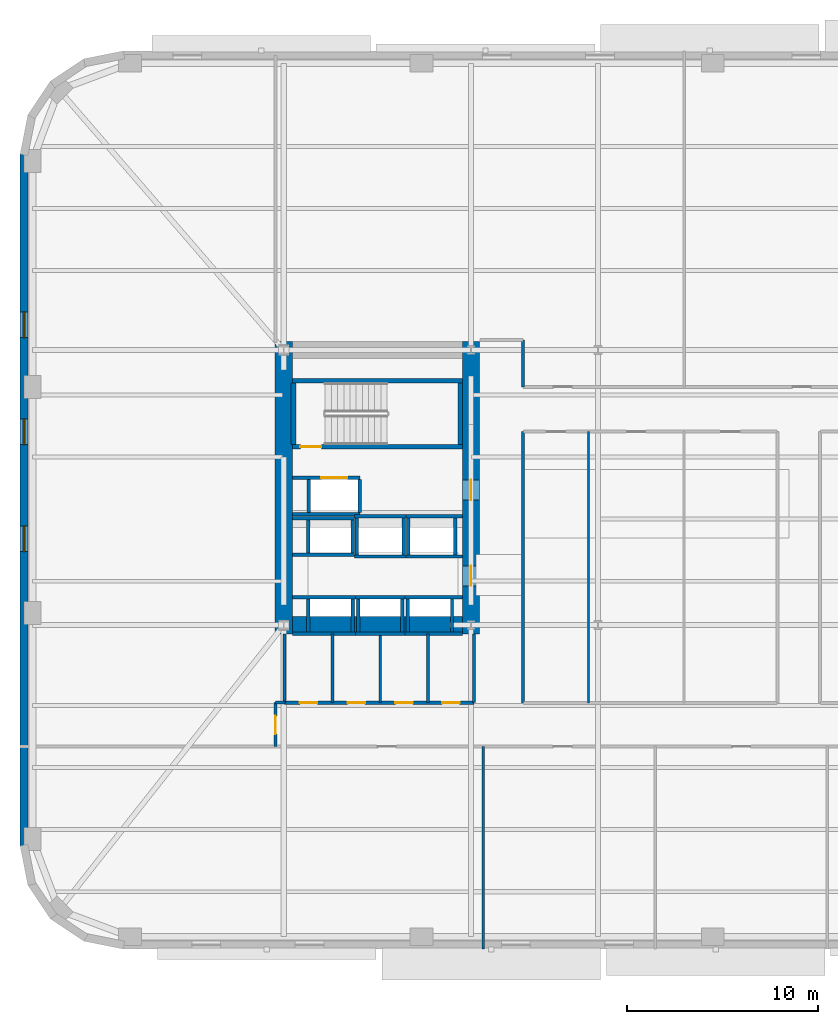
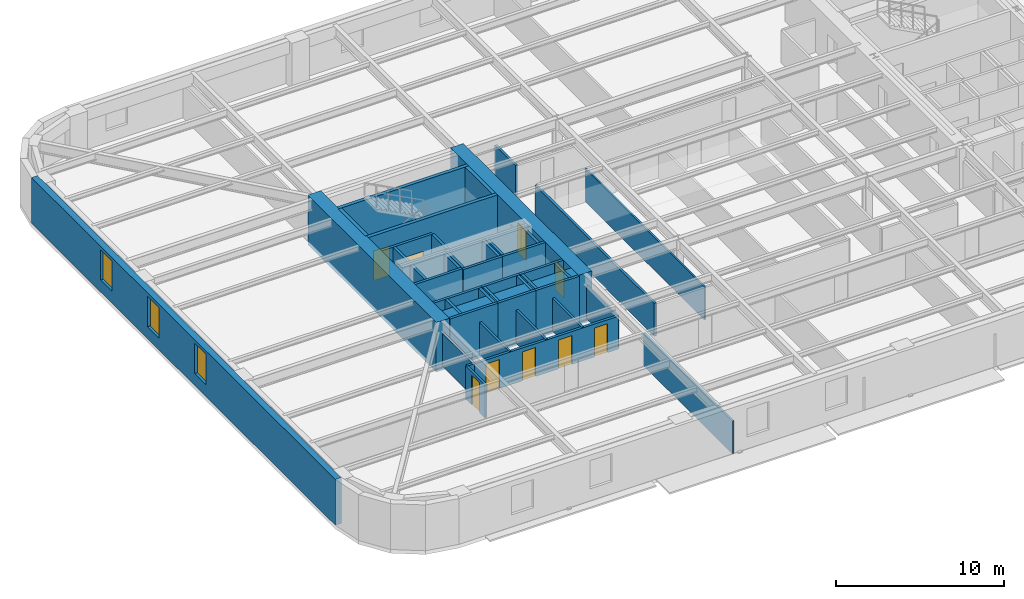
# One storey, part 4 of 14: 48 walls, 9 doors, 3 windows, 12 openings.
"""IFC4 building model written with IfcOpenShell, lengths in metres."""

import ifcopenshell
import ifcopenshell.guid

model = None  # the IFC model being written
_history = None  # IfcOwnerHistory: only IFC2X3 demands one
_inside = {}  # id of a spatial element -> (the spatial element, [elements in it])
_under = {}  # id of a project, library or spatial element -> (it, [spatial elements below it])
_declared = {}  # id of a project -> (the project, [libraries it declares])
_typed = {}  # id of a type object -> (the type object, [elements of that type])
_made_of = {}  # id of a material, layer set ... -> (it, [elements and type objects made of it])


def new_model(schema):
    """Start an empty IFC model of exactly this schema.

    Asked for "IFC4X3", IfcOpenShell would pick the latest addendum, in which some entities
    have other attributes; the version numbers below select the first issue.
    IFC2X3 requires an IfcOwnerHistory on every rooted entity: one is made here for all.
    """
    global model, _history
    if schema == "IFC4X3":
        model = ifcopenshell.file(schema_version=(4, 3, 0, 0))
    else:
        model = ifcopenshell.file(schema=schema)
    _inside.clear()
    _under.clear()
    _declared.clear()
    _typed.clear()
    _made_of.clear()
    _history = None
    if model.schema == "IFC2X3":
        org = make("IfcOrganization", Name="unknown")
        user = make(
            "IfcPersonAndOrganization",
            ThePerson=make("IfcPerson", FamilyName="unknown"),
            TheOrganization=org,
        )
        app = make(
            "IfcApplication",
            ApplicationDeveloper=org,
            Version="unknown",
            ApplicationFullName="unknown",
            ApplicationIdentifier="unknown",
        )
        _history = make(
            "IfcOwnerHistory",
            OwningUser=user,
            OwningApplication=app,
            ChangeAction="ADDED",
            CreationDate=0,
        )
    return model


def make(cls, **values):
    """One entity of the class cls with the attributes given. An attribute that is None is left unset."""
    return model.create_entity(
        cls, **{name: value for name, value in values.items() if value is not None}
    )


def rooted(cls, **values):
    """An entity with a GlobalId (a new one), such as an element, a storey or a relation."""
    return make(cls, GlobalId=ifcopenshell.guid.new(), OwnerHistory=_history, **values)


def si_unit(unit_type, name, prefix=None):
    """IfcSIUnit, for example si_unit("LENGTHUNIT", "METRE", prefix="MILLI")."""
    return make("IfcSIUnit", UnitType=unit_type, Prefix=prefix, Name=name)


def assignment(units):
    """IfcUnitAssignment: the units of a project."""
    return None if units is None else make("IfcUnitAssignment", Units=units)


def point(xyz):
    """IfcCartesianPoint."""
    return None if xyz is None else make("IfcCartesianPoint", Coordinates=xyz)


def direction(xyz):
    """IfcDirection."""
    return None if xyz is None else make("IfcDirection", DirectionRatios=xyz)


def frame(location, z_axis=None, x_axis=None):
    """IfcAxis2Placement3D, a coordinate frame: its origin and axes. An axis left out is left unset."""
    return make(
        "IfcAxis2Placement3D",
        Location=point(location),
        Axis=direction(z_axis),
        RefDirection=direction(x_axis),
    )


def frame_2d(location, x_axis=None):
    """IfcAxis2Placement2D, a coordinate frame in the plane: its origin and x axis."""
    return make(
        "IfcAxis2Placement2D", Location=point(location), RefDirection=direction(x_axis)
    )


def origin():
    """The frame at (0, 0, 0) with its axes left unset."""
    return frame((0.0, 0.0, 0.0))


def place(relative_to, where):
    """IfcLocalPlacement: puts the frame where relative to a parent placement (None: the world)."""
    return make(
        "IfcLocalPlacement", PlacementRelTo=relative_to, RelativePlacement=where
    )


def context(
    kind, dimensions, precision=None, world=None, true_north=None, identifier=None
):
    """IfcGeometricRepresentationContext, for example the 3D "Model" context."""
    return make(
        "IfcGeometricRepresentationContext",
        ContextIdentifier=identifier,
        ContextType=kind,
        CoordinateSpaceDimension=dimensions,
        Precision=precision,
        WorldCoordinateSystem=world,
        TrueNorth=true_north,
    )


def subcontext(parent, identifier, kind, view, scale=None):
    """IfcGeometricRepresentationSubContext, for example "Body" below "Model"."""
    return make(
        "IfcGeometricRepresentationSubContext",
        ContextIdentifier=identifier,
        ContextType=kind,
        ParentContext=parent,
        TargetScale=scale,
        TargetView=view,
    )


def project(units=None, contexts=None):
    """IfcProject with its units and contexts."""
    return rooted(
        "IfcProject",
        Name="project",
        RepresentationContexts=contexts,
        UnitsInContext=assignment(units),
    )


def spatial(cls, under=None, at=None, **own):
    """A site, building, storey or space (cls), placed at a placement, below another one or the project."""
    s = rooted(cls, ObjectPlacement=at, **own)
    if under is not None:
        _under.setdefault(under.id(), (under, []))[1].append(s)
    return s


def profile(cls, at=None, kind="AREA", **sizes):
    """A parametric profile (cls). Its sizes go by their IFC names, for example OverallWidth=200.0."""
    return make(cls, ProfileType=kind, Position=at, **sizes)


def rectangle(**sizes):
    """IfcRectangleProfileDef."""
    return profile("IfcRectangleProfileDef", **sizes)


def extrude(swept, where, along, depth):
    """IfcExtrudedAreaSolid: the profile swept, set in the frame where, extruded along a direction by depth."""
    return make(
        "IfcExtrudedAreaSolid",
        SweptArea=swept,
        Position=where,
        ExtrudedDirection=direction(along),
        Depth=depth,
    )


def shape(context_of_items, identifier, shape_type, items):
    """IfcShapeRepresentation: the items that make up one representation, for example the "Body"."""
    return make(
        "IfcShapeRepresentation",
        ContextOfItems=context_of_items,
        RepresentationIdentifier=identifier,
        RepresentationType=shape_type,
        Items=items,
    )


def material(Name=None, Category=None):
    """IfcMaterial."""
    return make("IfcMaterial", Name=Name, Category=Category)


def layer(
    of_material, thickness, ventilated=None, Name=None, Category=None, Priority=None
):
    """IfcMaterialLayer: one layer of a wall or slab, of a material (None: an air gap)."""
    return make(
        "IfcMaterialLayer",
        Material=of_material,
        LayerThickness=thickness,
        IsVentilated=ventilated,
        Name=Name,
        Category=Category,
        Priority=Priority,
    )


def layer_set(layers, Name=None):
    """IfcMaterialLayerSet."""
    return make("IfcMaterialLayerSet", MaterialLayers=layers, LayerSetName=Name)


def made_of(thing, what):
    """Note that an element or type object is made of a material, layer set ...; save() writes the relation."""
    if what is not None:
        _made_of.setdefault(what.id(), (what, []))[1].append(thing)
    return thing


def type_object(cls, material=None, **own):
    """A type object (cls), such as IfcWallType, which elements share."""
    return made_of(rooted(cls, **own), material)


def element(
    cls,
    number,
    at=None,
    inside=None,
    cuts=None,
    type_object=None,
    material=None,
    context=None,
    identifier="Body",
    shape_type=None,
    held_by="IfcProductDefinitionShape",
    body=None,
    shapes=None,
    **own,
):
    """One element of the class cls, such as IfcWall. Its Tag is "e" and its number.

    at: its placement. inside: the storey or other place that contains it. cuts: it is an
    opening in that element (IfcRelVoidsElement). A single representation is given by context,
    identifier, shape_type and body (its items); several are given by shapes. held_by: the class
    of the entity that holds the representations. save() writes the other relations.
    """
    e = rooted(cls, Tag="e%d" % number, ObjectPlacement=at, **own)
    if body is not None:
        shapes = [shape(context, identifier, shape_type, body)]
    if shapes is not None:
        e.Representation = make(held_by, Representations=shapes)
    if inside is not None:
        _inside.setdefault(inside.id(), (inside, []))[1].append(e)
    if cuts is not None:
        rooted(
            "IfcRelVoidsElement", RelatingBuildingElement=cuts, RelatedOpeningElement=e
        )
    if type_object is not None:
        _typed.setdefault(type_object.id(), (type_object, []))[1].append(e)
    return made_of(e, material)


def fill(opening, filler):
    """IfcRelFillsElement: the door or window that sits in an opening."""
    return rooted(
        "IfcRelFillsElement",
        RelatingOpeningElement=opening,
        RelatedBuildingElement=filler,
    )


def aggregate(whole, parts):
    """IfcRelAggregates: a whole, such as a stair, and the parts it consists of."""
    return rooted("IfcRelAggregates", RelatingObject=whole, RelatedObjects=parts)


def save(model, path):
    """Write the relations noted so far, then the file.

    IfcRelAggregates (storeys below a building ...), IfcRelContainedInSpatialStructure (elements
    in a storey), IfcRelDefinesByType, IfcRelAssociatesMaterial and IfcRelDeclares: one each for
    every whole, place, type object, material and project.
    """
    for whole, parts in _under.values():
        aggregate(whole, parts)
    for where, things in _inside.values():
        rooted(
            "IfcRelContainedInSpatialStructure",
            RelatedElements=things,
            RelatingStructure=where,
        )
    for kind, things in _typed.values():
        rooted("IfcRelDefinesByType", RelatedObjects=things, RelatingType=kind)
    for what, things in _made_of.values():
        rooted("IfcRelAssociatesMaterial", RelatedObjects=things, RelatingMaterial=what)
    for by, libraries in _declared.values():
        rooted("IfcRelDeclares", RelatingContext=by, RelatedDefinitions=libraries)
    model.write(path)


model = new_model("IFC4")

# Units and contexts
model_context = context("Model", 3, precision=1e-05, world=origin(), true_north=direction((0.0, 1.0)))
body_context = subcontext(model_context, "Body", "Model", "MODEL_VIEW")
ifc_project = project(units=[si_unit("LENGTHUNIT", "METRE"), si_unit("AREAUNIT", "SQUARE_METRE"), si_unit("VOLUMEUNIT", "CUBIC_METRE"), si_unit("PLANEANGLEUNIT", "RADIAN"), si_unit("MASSUNIT", "GRAM", prefix="KILO")], contexts=[model_context])

# Site, building, storey
site_placement = place(None, origin())
site = spatial("IfcSite", under=ifc_project, at=site_placement, CompositionType="ELEMENT")
building_placement = place(site_placement, origin())
building = spatial("IfcBuilding", under=site, at=building_placement, Name="Kolvaren Arena Tower", CompositionType="ELEMENT")
storey_placement = place(building_placement, frame((0.0, 0.0, 90.75)))
storey = spatial("IfcBuildingStorey", under=building, at=storey_placement, Name="L20", CompositionType="ELEMENT", Elevation=90.75)

# Walls
ifc_material_1 = material(Name="Gypsum board acoustic assembly", Category="gypsum")
ifc_layer_1 = layer(ifc_material_1, 0.159912109375)
ifc_layer_set_1 = layer_set([ifc_layer_1], Name="Gypsum board acoustic assembly")
wall_type_1 = type_object("IfcWallType", Name="CORR-160", PredefinedType="PARTITIONING", material=ifc_layer_set_1)
wall_1_placement = place(storey_placement, frame((27.080078125, 31.919921875, 0.0), z_axis=(0.0, 0.0, 1.0), x_axis=(0.0, 1.0, 0.0)))
element("IfcWall", 1, at=wall_1_placement, inside=storey, type_object=wall_type_1, Name="Interior Partition Wall (L20)", PredefinedType="PARTITIONING", context=body_context, shape_type="SweptSolid", body=[
    extrude(rectangle(XDim=2.4599609375, YDim=0.159912109375, at=frame_2d((1.22998046875, 0.0))), origin(), (0.0, 0.0, 1.0), 2.389892578125),
])
wall_2_placement = place(storey_placement, frame((27.080078125, 15.3798828125, 0.0), z_axis=(0.0, 0.0, 1.0), x_axis=(0.0, 1.0, 0.0)))
element("IfcWall", 2, at=wall_2_placement, inside=storey, type_object=wall_type_1, Name="Interior Partition Wall (L20)", PredefinedType="PARTITIONING", context=body_context, shape_type="SweptSolid", body=[
    extrude(rectangle(XDim=14.2001953125, YDim=0.159912109375, at=frame_2d((7.10009765625, 0.0))), origin(), (0.0, 0.0, 1.0), 2.389892578125),
])

# Wall, opening, door
wall_3_placement = place(storey_placement, frame((14.1201171875, 13.10009765625, 0.0), z_axis=(0.0, 0.0, 1.0), x_axis=(0.0, 1.0, 0.0)))
wall_3 = element("IfcWall", 3, at=wall_3_placement, inside=storey, type_object=wall_type_1, Name="Interior Partition Wall (L20)", PredefinedType="PARTITIONING", context=body_context, shape_type="SweptSolid", body=[
    extrude(rectangle(XDim=2.2998046875, YDim=0.159912109375, at=frame_2d((1.14990234375, 0.0))), origin(), (0.0, 0.0, 1.0), 2.389892578125),
])
opening_1_placement = place(wall_3_placement, frame((0.64990234375, 0.0, 0.0)))
opening_1 = element("IfcOpeningElement", 4, at=opening_1_placement, cuts=wall_3, Name="Opening D05", PredefinedType="OPENING", context=body_context, shape_type="SweptSolid", body=[
    extrude(rectangle(XDim=0.949951171875, YDim=2.14990234375, at=frame_2d((0.47509765625, 1.074951171875))), frame((0.0, 0.08984375, 0.0), z_axis=(0.0, -1.0, 0.0), x_axis=(1.0, 0.0, 0.0)), (0.0, 0.0, 1.0), 0.179931640625),
])
ifc_material_2 = material(Name="Solid-core oak acoustic office door", Category="wood")
door_type_1 = type_object("IfcDoorType", Name="DOOR-OF-095", OperationType="NOTDEFINED", PredefinedType="DOOR", material=ifc_material_2)
door_1_placement = place(opening_1_placement, origin())
door_1 = element("IfcDoor", 5, at=door_1_placement, inside=storey, type_object=door_type_1, Name="West Wing Office Door (L20)", OperationType="SINGLE_SWING_LEFT", OverallHeight=2.14990234375, OverallWidth=0.949951171875, PredefinedType="DOOR", context=body_context, shape_type="SweptSolid", body=[
    extrude(rectangle(XDim=0.949951171875, YDim=2.14990234375, at=frame_2d((0.47509765625, 1.074951171875))), frame((0.0, 0.02490234375, 0.0), z_axis=(0.0, -1.0, 0.0), x_axis=(1.0, 0.0, 0.0)), (0.0, 0.0, 1.0), 0.050048828125),
])
fill(opening_1, door_1)

# Walls
wall_4_placement = place(storey_placement, frame((14.1201171875, 15.39990234375, 0.0), z_axis=(0.0, 0.0, 1.0), x_axis=(1.0, 0.0, 0.0)))
element("IfcWall", 6, at=wall_4_placement, inside=storey, type_object=wall_type_1, Name="Interior Partition Wall (L20)", PredefinedType="PARTITIONING", context=body_context, shape_type="SweptSolid", body=[
    extrude(rectangle(XDim=0.5, YDim=0.159912109375, at=frame_2d((0.25, 0.0))), origin(), (0.0, 0.0, 1.0), 2.389892578125),
])
ifc_material_3 = material(Name="Concrete 80 MPa", Category="concrete")
ifc_layer_2 = layer(ifc_material_3, 0.89990234375)
ifc_layer_set_2 = layer_set([ifc_layer_2], Name="Concrete 80 MPa")
wall_type_2 = type_object("IfcWallType", Name="CWALL-900", PredefinedType="SHEAR", material=ifc_layer_set_2)
wall_5_placement = place(storey_placement, frame((14.550048828125, 19.0, -0.27001953125), z_axis=(0.0, 0.0, 1.0), x_axis=(0.0, 1.0, 0.0)))
element("IfcWall", 7, at=wall_5_placement, inside=storey, type_object=wall_type_2, Name="Core Shear Wall WC-WEST (L20)", PredefinedType="SHEAR", context=body_context, shape_type="SweptSolid", body=[
    extrude(rectangle(XDim=15.300048828125, YDim=0.89990234375, at=frame_2d((7.64990234375, 0.0))), origin(), (0.0, 0.0, 1.0), 3.60009765625),
])

# Wall, openings, doors
wall_6_placement = place(storey_placement, frame((24.35009765625, 19.0, -0.27001953125), z_axis=(0.0, 0.0, 1.0), x_axis=(0.0, 1.0, 0.0)))
wall_6 = element("IfcWall", 8, at=wall_6_placement, inside=storey, type_object=wall_type_2, Name="Core Shear Wall WC-EAST (L20)", PredefinedType="SHEAR", context=body_context, shape_type="SweptSolid", body=[
    extrude(rectangle(XDim=15.300048828125, YDim=0.89990234375, at=frame_2d((7.64990234375, 0.0))), origin(), (0.0, 0.0, 1.0), 3.60009765625),
])
opening_2_placement = place(wall_6_placement, frame((2.5, 0.0, 0.27001953125)))
opening_2 = element("IfcOpeningElement", 9, at=opening_2_placement, cuts=wall_6, Name="Opening D04", PredefinedType="OPENING", context=body_context, shape_type="SweptSolid", body=[
    extrude(rectangle(XDim=1.050048828125, YDim=2.14990234375, at=frame_2d((0.52490234375, 1.074951171875))), frame((0.0, 0.4599609375, 0.0), z_axis=(0.0, -1.0, 0.0), x_axis=(1.0, 0.0, 0.0)), (0.0, 0.0, 1.0), 0.919921875),
])
opening_3_placement = place(wall_6_placement, frame((7.0, 0.0, 0.27001953125)))
opening_3 = element("IfcOpeningElement", 10, at=opening_3_placement, cuts=wall_6, Name="Opening D04", PredefinedType="OPENING", context=body_context, shape_type="SweptSolid", body=[
    extrude(rectangle(XDim=1.050048828125, YDim=2.14990234375, at=frame_2d((0.52490234375, 1.074951171875))), frame((0.0, 0.4599609375, 0.0), z_axis=(0.0, -1.0, 0.0), x_axis=(1.0, 0.0, 0.0)), (0.0, 0.0, 1.0), 0.919921875),
])
ifc_material_4 = material(Name="Fire-rated steel lobby door", Category="steel")
door_type_2 = type_object("IfcDoorType", Name="DOOR-FF-105", OperationType="NOTDEFINED", PredefinedType="DOOR", material=ifc_material_4)
door_2_placement = place(opening_2_placement, origin())
door_2 = element("IfcDoor", 11, at=door_2_placement, inside=storey, type_object=door_type_2, Name="West Lift Lobby Fire Door (L20)", OperationType="SINGLE_SWING_LEFT", OverallHeight=2.14990234375, OverallWidth=1.050048828125, PredefinedType="DOOR", context=body_context, shape_type="SweptSolid", body=[
    extrude(rectangle(XDim=1.050048828125, YDim=2.14990234375, at=frame_2d((0.52490234375, 1.074951171875))), frame((0.0, 0.02490234375, 0.0), z_axis=(0.0, -1.0, 0.0), x_axis=(1.0, 0.0, 0.0)), (0.0, 0.0, 1.0), 0.050048828125),
])
fill(opening_2, door_2)
door_3_placement = place(opening_3_placement, origin())
door_3 = element("IfcDoor", 12, at=door_3_placement, inside=storey, type_object=door_type_2, Name="West Firefighter Vestibule Door (L20)", OperationType="SINGLE_SWING_RIGHT", OverallHeight=2.14990234375, OverallWidth=1.050048828125, PredefinedType="DOOR", context=body_context, shape_type="SweptSolid", body=[
    extrude(rectangle(XDim=1.050048828125, YDim=2.14990234375, at=frame_2d((0.52490234375, 1.074951171875))), frame((0.0, 0.02490234375, 0.0), z_axis=(0.0, -1.0, 0.0), x_axis=(1.0, 0.0, 0.0)), (0.0, 0.0, 1.0), 0.050048828125),
])
fill(opening_3, door_3)

# Wall
wall_7_placement = place(storey_placement, frame((15.0, 19.449951171875, -0.27001953125), z_axis=(0.0, 0.0, 1.0), x_axis=(1.0, 0.0, 0.0)))
element("IfcWall", 13, at=wall_7_placement, inside=storey, type_object=wall_type_2, Name="Core Shear Wall WC-SOUTH (L20)", PredefinedType="SHEAR", context=body_context, shape_type="SweptSolid", body=[
    extrude(rectangle(XDim=8.89990234375, YDim=0.89990234375, at=frame_2d((4.449951171875, 0.0))), origin(), (0.0, 0.0, 1.0), 3.60009765625),
])

# Wall, openings, windows
ifc_material_5 = material(Name="Precast concrete C50/60", Category="concrete")
ifc_layer_3 = layer(ifc_material_5, 0.419921875)
ifc_layer_set_3 = layer_set([ifc_layer_3], Name="Precast concrete C50/60")
wall_type_3 = type_object("IfcWallType", Name="EXT-PIER1", PredefinedType="SOLIDWALL", material=ifc_layer_set_3)
wall_8_placement = place(storey_placement, frame((0.9599609375, 7.89990234375, 0.0), z_axis=(0.0, 0.0, 1.0), x_axis=(0.0, 1.0, 0.0)))
wall_8 = element("IfcWall", 14, at=wall_8_placement, inside=storey, type_object=wall_type_3, Name="Exterior Precast Masonry-Frame Wall (L20)", PredefinedType="SOLIDWALL", context=body_context, shape_type="SweptSolid", body=[
    extrude(rectangle(XDim=36.2001953125, YDim=0.419921875, at=frame_2d((18.10009765625, 0.0))), origin(), (0.0, 0.0, 1.0), 3.330078125),
])
opening_4_placement = place(wall_8_placement, frame((15.39990234375, 0.0, 0.8798828125)))
opening_4 = element("IfcOpeningElement", 15, at=opening_4_placement, cuts=wall_8, Name="Opening W04", PredefinedType="OPENING", context=body_context, shape_type="SweptSolid", body=[
    extrude(rectangle(XDim=1.35009765625, YDim=2.199951171875, at=frame_2d((0.675048828125, 1.10009765625))), frame((0.0, 0.219970703125, 0.0), z_axis=(0.0, -1.0, 0.0), x_axis=(1.0, 0.0, 0.0)), (0.0, 0.0, 1.0), 0.43994140625),
])
opening_5_placement = place(wall_8_placement, frame((21.0, 0.0, 0.8798828125)))
opening_5 = element("IfcOpeningElement", 16, at=opening_5_placement, cuts=wall_8, Name="Opening W04", PredefinedType="OPENING", context=body_context, shape_type="SweptSolid", body=[
    extrude(rectangle(XDim=1.35009765625, YDim=2.199951171875, at=frame_2d((0.675048828125, 1.10009765625))), frame((0.0, 0.219970703125, 0.0), z_axis=(0.0, -1.0, 0.0), x_axis=(1.0, 0.0, 0.0)), (0.0, 0.0, 1.0), 0.43994140625),
])
opening_6_placement = place(wall_8_placement, frame((26.60009765625, 0.0, 0.8798828125)))
opening_6 = element("IfcOpeningElement", 17, at=opening_6_placement, cuts=wall_8, Name="Opening W04", PredefinedType="OPENING", context=body_context, shape_type="SweptSolid", body=[
    extrude(rectangle(XDim=1.35009765625, YDim=2.199951171875, at=frame_2d((0.675048828125, 1.10009765625))), frame((0.0, 0.219970703125, 0.0), z_axis=(0.0, -1.0, 0.0), x_axis=(1.0, 0.0, 0.0)), (0.0, 0.0, 1.0), 0.43994140625),
])
ifc_material_6 = material(Name="Triple-glazed curved-facet corner window", Category="glass")
window_type = type_object("IfcWindowType", Name="WIN-CRN-A", PartitioningType="SINGLE_PANEL", PredefinedType="WINDOW", material=ifc_material_6)
window_1_placement = place(opening_4_placement, origin())
window_1 = element("IfcWindow", 18, at=window_1_placement, inside=storey, type_object=window_type, Name="End-Wall Punched Window (L20)", OverallHeight=2.199951171875, OverallWidth=1.35009765625, PartitioningType="SINGLE_PANEL", PredefinedType="WINDOW", context=body_context, shape_type="SweptSolid", body=[
    extrude(rectangle(XDim=1.35009765625, YDim=2.199951171875, at=frame_2d((0.675048828125, 1.10009765625))), frame((0.0, 0.030029296875, 0.0), z_axis=(0.0, -1.0, 0.0), x_axis=(1.0, 0.0, 0.0)), (0.0, 0.0, 1.0), 0.06005859375),
])
fill(opening_4, window_1)
window_2_placement = place(opening_5_placement, origin())
window_2 = element("IfcWindow", 19, at=window_2_placement, inside=storey, type_object=window_type, Name="End-Wall Punched Window (L20)", OverallHeight=2.199951171875, OverallWidth=1.35009765625, PartitioningType="SINGLE_PANEL", PredefinedType="WINDOW", context=body_context, shape_type="SweptSolid", body=[
    extrude(rectangle(XDim=1.35009765625, YDim=2.199951171875, at=frame_2d((0.675048828125, 1.10009765625))), frame((0.0, 0.030029296875, 0.0), z_axis=(0.0, -1.0, 0.0), x_axis=(1.0, 0.0, 0.0)), (0.0, 0.0, 1.0), 0.06005859375),
])
fill(opening_5, window_2)
window_3_placement = place(opening_6_placement, origin())
window_3 = element("IfcWindow", 20, at=window_3_placement, inside=storey, type_object=window_type, Name="End-Wall Punched Window (L20)", OverallHeight=2.199951171875, OverallWidth=1.35009765625, PartitioningType="SINGLE_PANEL", PredefinedType="WINDOW", context=body_context, shape_type="SweptSolid", body=[
    extrude(rectangle(XDim=1.35009765625, YDim=2.199951171875, at=frame_2d((0.675048828125, 1.10009765625))), frame((0.0, 0.030029296875, 0.0), z_axis=(0.0, -1.0, 0.0), x_axis=(1.0, 0.0, 0.0)), (0.0, 0.0, 1.0), 0.06005859375),
])
fill(opening_6, window_3)

# Walls
ifc_material_7 = material(Name="Gypsum board partition assembly", Category="gypsum")
ifc_layer_4 = layer(ifc_material_7, 0.114990234375)
ifc_layer_set_4 = layer_set([ifc_layer_4], Name="Gypsum board partition assembly")
wall_type_4 = type_object("IfcWallType", Name="PART-115", PredefinedType="PARTITIONING", material=ifc_layer_set_4)
wall_9_placement = place(storey_placement, frame((30.5, 15.3798828125, 0.0), z_axis=(0.0, 0.0, 1.0), x_axis=(0.0, 1.0, 0.0)))
element("IfcWall", 21, at=wall_9_placement, inside=storey, type_object=wall_type_4, Name="Interior Partition Wall (L20)", PredefinedType="PARTITIONING", context=body_context, shape_type="SweptSolid", body=[
    extrude(rectangle(XDim=14.2001953125, YDim=0.114990234375, at=frame_2d((7.10009765625, 0.0))), origin(), (0.0, 0.0, 1.0), 2.389892578125),
])
ifc_layer_5 = layer(ifc_material_7, 0.135009765625)
ifc_layer_set_5 = layer_set([ifc_layer_5], Name="Gypsum board partition assembly")
wall_type_5 = type_object("IfcWallType", Name="PART-135", PredefinedType="PARTITIONING", material=ifc_layer_set_5)
wall_10_placement = place(storey_placement, frame((25.0, 2.5, 0.0), z_axis=(0.0, 0.0, 1.0), x_axis=(0.0, 1.0, 0.0)))
element("IfcWall", 22, at=wall_10_placement, inside=storey, type_object=wall_type_5, Name="Interior Partition Wall (L20)", PredefinedType="PARTITIONING", context=body_context, shape_type="SweptSolid", body=[
    extrude(rectangle(XDim=10.60009765625, YDim=0.135009765625, at=frame_2d((5.300048828125, 0.0))), origin(), (0.0, 0.0, 1.0), 2.389892578125),
])

# Wall, opening, door
ifc_material_8 = material(Name="Concrete 45 MPa", Category="concrete")
ifc_layer_6 = layer(ifc_material_8, 0.25)
ifc_layer_set_6 = layer_set([ifc_layer_6], Name="Concrete 45 MPa")
wall_type_6 = type_object("IfcWallType", Name="SHAFT-250", PredefinedType="SOLIDWALL", material=ifc_layer_set_6)
wall_11_placement = place(storey_placement, frame((23.89990234375, 28.780029296875, 0.0), z_axis=(0.0, 0.0, 1.0), x_axis=(-1.0, 0.0, 0.0)))
wall_11 = element("IfcWall", 23, at=wall_11_placement, inside=storey, type_object=wall_type_6, Name="Core Shaft Wall (L20)", PredefinedType="SOLIDWALL", context=body_context, shape_type="SweptSolid", body=[
    extrude(rectangle(XDim=8.89990234375, YDim=0.239990234375, at=frame_2d((4.449951171875, 0.0))), origin(), (0.0, 0.0, 1.0), 3.330078125),
])
opening_7_placement = place(wall_11_placement, frame((7.3798828125, 0.0, 0.0)))
opening_7 = element("IfcOpeningElement", 24, at=opening_7_placement, cuts=wall_11, Name="Opening D03", PredefinedType="OPENING", context=body_context, shape_type="SweptSolid", body=[
    extrude(rectangle(XDim=1.10009765625, YDim=2.14990234375, at=frame_2d((0.550048828125, 1.074951171875))), frame((0.0, 0.1298828125, 0.0), z_axis=(0.0, -1.0, 0.0), x_axis=(1.0, 0.0, 0.0)), (0.0, 0.0, 1.0), 0.260009765625),
])
ifc_material_9 = material(Name="Fire-rated steel exit stair door", Category="steel")
door_type_3 = type_object("IfcDoorType", Name="DOOR-ST-110", OperationType="NOTDEFINED", PredefinedType="DOOR", material=ifc_material_9)
door_4_placement = place(opening_7_placement, origin())
door_4 = element("IfcDoor", 25, at=door_4_placement, inside=storey, type_object=door_type_3, Name="Stair ST-W1 Fire Door (L20)", OperationType="SINGLE_SWING_RIGHT", OverallHeight=2.14990234375, OverallWidth=1.10009765625, PredefinedType="DOOR", context=body_context, shape_type="SweptSolid", body=[
    extrude(rectangle(XDim=1.10009765625, YDim=2.14990234375, at=frame_2d((0.550048828125, 1.074951171875))), frame((0.0, 0.02490234375, 0.0), z_axis=(0.0, -1.0, 0.0), x_axis=(1.0, 0.0, 0.0)), (0.0, 0.0, 1.0), 0.050048828125),
])
fill(opening_7, door_4)

# Walls
wall_12_placement = place(storey_placement, frame((15.0, 32.25, 0.0), z_axis=(0.0, 0.0, 1.0), x_axis=(1.0, 0.0, 0.0)))
element("IfcWall", 26, at=wall_12_placement, inside=storey, type_object=wall_type_6, Name="Core Shaft Wall (L20)", PredefinedType="SOLIDWALL", context=body_context, shape_type="SweptSolid", body=[
    extrude(rectangle(XDim=8.89990234375, YDim=0.239990234375, at=frame_2d((4.449951171875, 0.0))), origin(), (0.0, 0.0, 1.0), 3.330078125),
])
for number, where, z_axis, x_axis, name in (
    (27, (15.06005859375, 28.89990234375, 0.0), (0.0, 0.0, 1.0), (0.0, 1.0, 0.0), "Core Shaft Wall (L20)"),
    (28, (23.780029296875, 28.89990234375, 0.0), (0.0, 0.0, 1.0), (0.0, 1.0, 0.0), "Core Shaft Wall (L20)"),
):
    element("IfcWall", number, at=place(storey_placement, frame(where, z_axis=z_axis, x_axis=x_axis)), inside=storey, type_object=wall_type_6, Name=name, PredefinedType="SOLIDWALL", context=body_context, shape_type="SweptSolid", body=[
        extrude(rectangle(XDim=3.22998046875, YDim=0.239990234375, at=frame_2d((1.614990234375, 0.0))), origin(), (0.0, 0.0, 1.0), 3.330078125),
    ])
for number, where, z_axis, x_axis, name in (
    (29, (15.0, 20.905029296875, 0.0), (0.0, 0.0, 1.0), (1.0, 0.0, 0.0), "Core Shaft Wall (L20)"),
    (30, (15.0, 18.9951171875, 0.0), (0.0, 0.0, 1.0), (1.0, 0.0, 0.0), "Core Shaft Wall (L20)"),
):
    element("IfcWall", number, at=place(storey_placement, frame(where, z_axis=z_axis, x_axis=x_axis)), inside=storey, type_object=wall_type_6, Name=name, PredefinedType="SOLIDWALL", context=body_context, shape_type="SweptSolid", body=[
        extrude(rectangle(XDim=3.300048828125, YDim=0.179931640625, at=frame_2d((1.64990234375, 0.0))), origin(), (0.0, 0.0, 1.0), 3.330078125),
    ])
for number, where, z_axis, x_axis, name in (
    (31, (15.844970703125, 19.0849609375, 0.0), (0.0, 0.0, 1.0), (0.0, 1.0, 0.0), "Core Shaft Wall (L20)"),
    (32, (18.155029296875, 19.0849609375, 0.0), (0.0, 0.0, 1.0), (0.0, 1.0, 0.0), "Core Shaft Wall (L20)"),
):
    element("IfcWall", number, at=place(storey_placement, frame(where, z_axis=z_axis, x_axis=x_axis)), inside=storey, type_object=wall_type_6, Name=name, PredefinedType="SOLIDWALL", context=body_context, shape_type="SweptSolid", body=[
        extrude(rectangle(XDim=1.72998046875, YDim=0.179931640625, at=frame_2d((0.864990234375, 0.0))), origin(), (0.0, 0.0, 1.0), 3.330078125),
    ])
for number, where, z_axis, x_axis, name in (
    (33, (18.300048828125, 20.905029296875, 0.0), (0.0, 0.0, 1.0), (1.0, 0.0, 0.0), "Core Shaft Wall (L20)"),
    (34, (18.300048828125, 18.9951171875, 0.0), (0.0, 0.0, 1.0), (1.0, 0.0, 0.0), "Core Shaft Wall (L20)"),
):
    element("IfcWall", number, at=place(storey_placement, frame(where, z_axis=z_axis, x_axis=x_axis)), inside=storey, type_object=wall_type_6, Name=name, PredefinedType="SOLIDWALL", context=body_context, shape_type="SweptSolid", body=[
        extrude(rectangle(XDim=2.599853515625, YDim=0.179931640625, at=frame_2d((1.2998046875, 0.0))), origin(), (0.0, 0.0, 1.0), 3.330078125),
    ])
for number, where, z_axis, x_axis, name in (
    (35, (18.445068359375, 19.0849609375, 0.0), (0.0, 0.0, 1.0), (0.0, 1.0, 0.0), "Core Shaft Wall (L20)"),
    (36, (20.7548828125, 19.0849609375, 0.0), (0.0, 0.0, 1.0), (0.0, 1.0, 0.0), "Core Shaft Wall (L20)"),
):
    element("IfcWall", number, at=place(storey_placement, frame(where, z_axis=z_axis, x_axis=x_axis)), inside=storey, type_object=wall_type_6, Name=name, PredefinedType="SOLIDWALL", context=body_context, shape_type="SweptSolid", body=[
        extrude(rectangle(XDim=1.72998046875, YDim=0.179931640625, at=frame_2d((0.864990234375, 0.0))), origin(), (0.0, 0.0, 1.0), 3.330078125),
    ])
for number, where, z_axis, x_axis, name in (
    (37, (20.89990234375, 20.905029296875, 0.0), (0.0, 0.0, 1.0), (1.0, 0.0, 0.0), "Core Shaft Wall (L20)"),
    (38, (20.89990234375, 18.9951171875, 0.0), (0.0, 0.0, 1.0), (1.0, 0.0, 0.0), "Core Shaft Wall (L20)"),
):
    element("IfcWall", number, at=place(storey_placement, frame(where, z_axis=z_axis, x_axis=x_axis)), inside=storey, type_object=wall_type_6, Name=name, PredefinedType="SOLIDWALL", context=body_context, shape_type="SweptSolid", body=[
        extrude(rectangle(XDim=3.0, YDim=0.179931640625, at=frame_2d((1.5, 0.0))), origin(), (0.0, 0.0, 1.0), 3.330078125),
    ])
for number, where, z_axis, x_axis, name in (
    (39, (21.044921875, 19.0849609375, 0.0), (0.0, 0.0, 1.0), (0.0, 1.0, 0.0), "Core Shaft Wall (L20)"),
    (40, (23.35498046875, 19.0849609375, 0.0), (0.0, 0.0, 1.0), (0.0, 1.0, 0.0), "Core Shaft Wall (L20)"),
):
    element("IfcWall", number, at=place(storey_placement, frame(where, z_axis=z_axis, x_axis=x_axis)), inside=storey, type_object=wall_type_6, Name=name, PredefinedType="SOLIDWALL", context=body_context, shape_type="SweptSolid", body=[
        extrude(rectangle(XDim=1.72998046875, YDim=0.179931640625, at=frame_2d((0.864990234375, 0.0))), origin(), (0.0, 0.0, 1.0), 3.330078125),
    ])
for number, where, z_axis, x_axis, name in (
    (41, (15.0, 25.054931640625, 0.0), (0.0, 0.0, 1.0), (1.0, 0.0, 0.0), "Core Shaft Wall (L20)"),
    (42, (15.0, 23.14501953125, 0.0), (0.0, 0.0, 1.0), (1.0, 0.0, 0.0), "Core Shaft Wall (L20)"),
):
    element("IfcWall", number, at=place(storey_placement, frame(where, z_axis=z_axis, x_axis=x_axis)), inside=storey, type_object=wall_type_6, Name=name, PredefinedType="SOLIDWALL", context=body_context, shape_type="SweptSolid", body=[
        extrude(rectangle(XDim=3.262451171875, YDim=0.179931640625, at=frame_2d((1.63134765625, 0.0))), origin(), (0.0, 0.0, 1.0), 3.330078125),
    ])
for number, where, z_axis, x_axis, name in (
    (43, (15.844970703125, 23.235107421875, 0.0), (0.0, 0.0, 1.0), (0.0, 1.0, 0.0), "Core Shaft Wall (L20)"),
    (44, (18.155029296875, 23.235107421875, 0.0), (0.0, 0.0, 1.0), (0.0, 1.0, 0.0), "Core Shaft Wall (L20)"),
):
    element("IfcWall", number, at=place(storey_placement, frame(where, z_axis=z_axis, x_axis=x_axis)), inside=storey, type_object=wall_type_6, Name=name, PredefinedType="SOLIDWALL", context=body_context, shape_type="SweptSolid", body=[
        extrude(rectangle(XDim=1.72998046875, YDim=0.179931640625, at=frame_2d((0.864990234375, 0.0))), origin(), (0.0, 0.0, 1.0), 3.330078125),
    ])
for number, where, z_axis, x_axis, name in (
    (45, (18.262451171875, 25.155029296875, 0.0), (0.0, 0.0, 1.0), (1.0, 0.0, 0.0), "Core Shaft Wall (L20)"),
    (46, (18.262451171875, 23.044921875, 0.0), (0.0, 0.0, 1.0), (1.0, 0.0, 0.0), "Core Shaft Wall (L20)"),
):
    element("IfcWall", number, at=place(storey_placement, frame(where, z_axis=z_axis, x_axis=x_axis)), inside=storey, type_object=wall_type_6, Name=name, PredefinedType="SOLIDWALL", context=body_context, shape_type="SweptSolid", body=[
        extrude(rectangle(XDim=2.6875, YDim=0.179931640625, at=frame_2d((1.34375, 0.0))), origin(), (0.0, 0.0, 1.0), 3.330078125),
    ])
for number, where, z_axis, x_axis, name in (
    (47, (18.3701171875, 23.135009765625, 0.0), (0.0, 0.0, 1.0), (0.0, 1.0, 0.0), "Core Shaft Wall (L20)"),
    (48, (20.830078125, 23.135009765625, 0.0), (0.0, 0.0, 1.0), (0.0, 1.0, 0.0), "Core Shaft Wall (L20)"),
):
    element("IfcWall", number, at=place(storey_placement, frame(where, z_axis=z_axis, x_axis=x_axis)), inside=storey, type_object=wall_type_6, Name=name, PredefinedType="SOLIDWALL", context=body_context, shape_type="SweptSolid", body=[
        extrude(rectangle(XDim=1.929931640625, YDim=0.179931640625, at=frame_2d((0.96484375, 0.0))), origin(), (0.0, 0.0, 1.0), 3.330078125),
    ])
for number, where, z_axis, x_axis, name in (
    (49, (20.949951171875, 25.155029296875, 0.0), (0.0, 0.0, 1.0), (1.0, 0.0, 0.0), "Core Shaft Wall (L20)"),
    (50, (20.949951171875, 23.044921875, 0.0), (0.0, 0.0, 1.0), (1.0, 0.0, 0.0), "Core Shaft Wall (L20)"),
):
    element("IfcWall", number, at=place(storey_placement, frame(where, z_axis=z_axis, x_axis=x_axis)), inside=storey, type_object=wall_type_6, Name=name, PredefinedType="SOLIDWALL", context=body_context, shape_type="SweptSolid", body=[
        extrude(rectangle(XDim=2.949951171875, YDim=0.179931640625, at=frame_2d((1.47509765625, 0.0))), origin(), (0.0, 0.0, 1.0), 3.330078125),
    ])
for number, where, z_axis, x_axis, name in (
    (51, (21.070068359375, 23.135009765625, 0.0), (0.0, 0.0, 1.0), (0.0, 1.0, 0.0), "Core Shaft Wall (L20)"),
    (52, (23.530029296875, 23.135009765625, 0.0), (0.0, 0.0, 1.0), (0.0, 1.0, 0.0), "Core Shaft Wall (L20)"),
):
    element("IfcWall", number, at=place(storey_placement, frame(where, z_axis=z_axis, x_axis=x_axis)), inside=storey, type_object=wall_type_6, Name=name, PredefinedType="SOLIDWALL", context=body_context, shape_type="SweptSolid", body=[
        extrude(rectangle(XDim=1.929931640625, YDim=0.179931640625, at=frame_2d((0.96484375, 0.0))), origin(), (0.0, 0.0, 1.0), 3.330078125),
    ])

# Wall, opening, door
wall_13_placement = place(storey_placement, frame((15.0, 27.155029296875, 0.0), z_axis=(0.0, 0.0, 1.0), x_axis=(1.0, 0.0, 0.0)))
wall_13 = element("IfcWall", 53, at=wall_13_placement, inside=storey, type_object=wall_type_6, Name="Core Shaft Wall (L20)", PredefinedType="SOLIDWALL", context=body_context, shape_type="SweptSolid", body=[
    extrude(rectangle(XDim=3.530029296875, YDim=0.179931640625, at=frame_2d((1.76513671875, 0.0))), origin(), (0.0, 0.0, 1.0), 3.330078125),
])
opening_8_placement = place(wall_13_placement, frame((1.52490234375, 0.0, 0.0)))
opening_8 = element("IfcOpeningElement", 54, at=opening_8_placement, cuts=wall_13, Name="Opening LD2", PredefinedType="OPENING", context=body_context, shape_type="SweptSolid", body=[
    extrude(rectangle(XDim=1.35009765625, YDim=2.300048828125, at=frame_2d((0.675048828125, 1.14990234375))), frame((0.0, 0.099853515625, 0.0), z_axis=(0.0, -1.0, 0.0), x_axis=(1.0, 0.0, 0.0)), (0.0, 0.0, 1.0), 0.199951171875),
])
ifc_material_10 = material(Name="Stainless steel firefighter lift landing door", Category="steel")
door_type_4 = type_object("IfcDoorType", Name="DOOR-LD-135", OperationType="DOUBLE_DOOR_SLIDING", PredefinedType="DOOR", material=ifc_material_10)
door_5_placement = place(opening_8_placement, origin())
door_5 = element("IfcDoor", 55, at=door_5_placement, inside=storey, type_object=door_type_4, Name="Firefighter Lift FF-W1 Landing Door (L20)", OperationType="DOUBLE_DOOR_SLIDING", OverallHeight=2.300048828125, OverallWidth=1.35009765625, PredefinedType="DOOR", context=body_context, shape_type="SweptSolid", body=[
    extrude(rectangle(XDim=1.35009765625, YDim=2.300048828125, at=frame_2d((0.675048828125, 1.14990234375))), frame((0.0, 0.02490234375, 0.0), z_axis=(0.0, -1.0, 0.0), x_axis=(1.0, 0.0, 0.0)), (0.0, 0.0, 1.0), 0.050048828125),
])
fill(opening_8, door_5)

# Walls
wall_14_placement = place(storey_placement, frame((15.0, 25.2451171875, 0.0), z_axis=(0.0, 0.0, 1.0), x_axis=(1.0, 0.0, 0.0)))
element("IfcWall", 56, at=wall_14_placement, inside=storey, type_object=wall_type_6, Name="Core Shaft Wall (L20)", PredefinedType="SOLIDWALL", context=body_context, shape_type="SweptSolid", body=[
    extrude(rectangle(XDim=3.530029296875, YDim=0.179931640625, at=frame_2d((1.76513671875, 0.0))), origin(), (0.0, 0.0, 1.0), 3.330078125),
])
for number, where, z_axis, x_axis, name in (
    (57, (15.8701171875, 25.3349609375, 0.0), (0.0, 0.0, 1.0), (0.0, 1.0, 0.0), "Core Shaft Wall (L20)"),
    (58, (18.530029296875, 25.3349609375, 0.0), (0.0, 0.0, 1.0), (0.0, 1.0, 0.0), "Core Shaft Wall (L20)"),
):
    element("IfcWall", number, at=place(storey_placement, frame(where, z_axis=z_axis, x_axis=x_axis)), inside=storey, type_object=wall_type_6, Name=name, PredefinedType="SOLIDWALL", context=body_context, shape_type="SweptSolid", body=[
        extrude(rectangle(XDim=1.72998046875, YDim=0.179931640625, at=frame_2d((0.864990234375, 0.0))), origin(), (0.0, 0.0, 1.0), 3.330078125),
    ])
ifc_material_11 = material(Name="Moisture-resistant gypsum assembly", Category="gypsum")
ifc_layer_7 = layer(ifc_material_11, 0.14990234375)
ifc_layer_set_7 = layer_set([ifc_layer_7], Name="Moisture-resistant gypsum assembly")
wall_type_7 = type_object("IfcWallType", Name="WETW-150", PredefinedType="PARTITIONING", material=ifc_layer_set_7)
for number, where, z_axis, x_axis, name in (
    (59, (17.10009765625, 15.39990234375, 0.0), (0.0, 0.0, 1.0), (0.0, 1.0, 0.0), "Interior Partition Wall (L20)"),
    (60, (19.60009765625, 15.39990234375, 0.0), (0.0, 0.0, 1.0), (0.0, 1.0, 0.0), "Interior Partition Wall (L20)"),
    (61, (22.10009765625, 15.39990234375, 0.0), (0.0, 0.0, 1.0), (0.0, 1.0, 0.0), "Interior Partition Wall (L20)"),
):
    element("IfcWall", number, at=place(storey_placement, frame(where, z_axis=z_axis, x_axis=x_axis)), inside=storey, type_object=wall_type_7, Name=name, PredefinedType="PARTITIONING", context=body_context, shape_type="SweptSolid", body=[
        extrude(rectangle(XDim=3.580078125, YDim=0.14990234375, at=frame_2d((1.7900390625, 0.0))), origin(), (0.0, 0.0, 1.0), 2.389892578125),
    ])

# Wall, openings, doors
wall_15_placement = place(storey_placement, frame((14.60009765625, 15.39990234375, 0.0), z_axis=(0.0, 0.0, 1.0), x_axis=(1.0, 0.0, 0.0)))
wall_15 = element("IfcWall", 62, at=wall_15_placement, inside=storey, type_object=wall_type_7, Name="Interior Partition Wall (L20)", PredefinedType="PARTITIONING", context=body_context, shape_type="SweptSolid", body=[
    extrude(rectangle(XDim=9.89990234375, YDim=0.179931640625, at=frame_2d((4.949951171875, 0.0))), origin(), (0.0, 0.0, 1.0), 2.389892578125),
])
opening_9_placement = place(wall_15_placement, frame((0.7900390625, 0.0, 0.0)))
opening_9 = element("IfcOpeningElement", 63, at=opening_9_placement, cuts=wall_15, Name="Opening D07", PredefinedType="OPENING", context=body_context, shape_type="SweptSolid", body=[
    extrude(rectangle(XDim=0.919921875, YDim=2.10009765625, at=frame_2d((0.4599609375, 1.050048828125))), frame((0.0, 0.099853515625, 0.0), z_axis=(0.0, -1.0, 0.0), x_axis=(1.0, 0.0, 0.0)), (0.0, 0.0, 1.0), 0.199951171875),
])
opening_10_placement = place(wall_15_placement, frame((3.2900390625, 0.0, 0.0)))
opening_10 = element("IfcOpeningElement", 64, at=opening_10_placement, cuts=wall_15, Name="Opening D07", PredefinedType="OPENING", context=body_context, shape_type="SweptSolid", body=[
    extrude(rectangle(XDim=0.919921875, YDim=2.10009765625, at=frame_2d((0.4599609375, 1.050048828125))), frame((0.0, 0.099853515625, 0.0), z_axis=(0.0, -1.0, 0.0), x_axis=(1.0, 0.0, 0.0)), (0.0, 0.0, 1.0), 0.199951171875),
])
opening_11_placement = place(wall_15_placement, frame((5.7900390625, 0.0, 0.0)))
opening_11 = element("IfcOpeningElement", 65, at=opening_11_placement, cuts=wall_15, Name="Opening D07", PredefinedType="OPENING", context=body_context, shape_type="SweptSolid", body=[
    extrude(rectangle(XDim=0.919921875, YDim=2.10009765625, at=frame_2d((0.4599609375, 1.050048828125))), frame((0.0, 0.099853515625, 0.0), z_axis=(0.0, -1.0, 0.0), x_axis=(1.0, 0.0, 0.0)), (0.0, 0.0, 1.0), 0.199951171875),
])
opening_12_placement = place(wall_15_placement, frame((8.239990234375, 0.0, 0.0)))
opening_12 = element("IfcOpeningElement", 66, at=opening_12_placement, cuts=wall_15, Name="Opening D07", PredefinedType="OPENING", context=body_context, shape_type="SweptSolid", body=[
    extrude(rectangle(XDim=0.919921875, YDim=2.10009765625, at=frame_2d((0.4599609375, 1.050048828125))), frame((0.0, 0.099853515625, 0.0), z_axis=(0.0, -1.0, 0.0), x_axis=(1.0, 0.0, 0.0)), (0.0, 0.0, 1.0), 0.199951171875),
])
ifc_material_12 = material(Name="Laminate universal washroom door", Category="wood")
door_type_5 = type_object("IfcDoorType", Name="DOOR-WC-092", OperationType="NOTDEFINED", PredefinedType="DOOR", material=ifc_material_12)
door_6_placement = place(opening_9_placement, origin())
door_6 = element("IfcDoor", 67, at=door_6_placement, inside=storey, type_object=door_type_5, Name="Women Restroom Door (L20)", OperationType="SINGLE_SWING_RIGHT", OverallHeight=2.10009765625, OverallWidth=0.919921875, PredefinedType="DOOR", context=body_context, shape_type="SweptSolid", body=[
    extrude(rectangle(XDim=0.919921875, YDim=2.10009765625, at=frame_2d((0.4599609375, 1.050048828125))), frame((0.0, 0.02490234375, 0.0), z_axis=(0.0, -1.0, 0.0), x_axis=(1.0, 0.0, 0.0)), (0.0, 0.0, 1.0), 0.050048828125),
])
fill(opening_9, door_6)
door_7_placement = place(opening_10_placement, origin())
door_7 = element("IfcDoor", 68, at=door_7_placement, inside=storey, type_object=door_type_5, Name="Men Restroom Door (L20)", OperationType="SINGLE_SWING_LEFT", OverallHeight=2.10009765625, OverallWidth=0.919921875, PredefinedType="DOOR", context=body_context, shape_type="SweptSolid", body=[
    extrude(rectangle(XDim=0.919921875, YDim=2.10009765625, at=frame_2d((0.4599609375, 1.050048828125))), frame((0.0, 0.02490234375, 0.0), z_axis=(0.0, -1.0, 0.0), x_axis=(1.0, 0.0, 0.0)), (0.0, 0.0, 1.0), 0.050048828125),
])
fill(opening_10, door_7)
door_8_placement = place(opening_11_placement, origin())
door_8 = element("IfcDoor", 69, at=door_8_placement, inside=storey, type_object=door_type_5, Name="Universal Barrier-Free Washroom Door (L20)", OperationType="SINGLE_SWING_RIGHT", OverallHeight=2.10009765625, OverallWidth=0.919921875, PredefinedType="DOOR", context=body_context, shape_type="SweptSolid", body=[
    extrude(rectangle(XDim=0.919921875, YDim=2.10009765625, at=frame_2d((0.4599609375, 1.050048828125))), frame((0.0, 0.02490234375, 0.0), z_axis=(0.0, -1.0, 0.0), x_axis=(1.0, 0.0, 0.0)), (0.0, 0.0, 1.0), 0.050048828125),
])
fill(opening_11, door_8)
door_9_placement = place(opening_12_placement, origin())
door_9 = element("IfcDoor", 70, at=door_9_placement, inside=storey, type_object=door_type_5, Name="Linen Store Door (L20)", OperationType="SINGLE_SWING_LEFT", OverallHeight=2.10009765625, OverallWidth=0.919921875, PredefinedType="DOOR", context=body_context, shape_type="SweptSolid", body=[
    extrude(rectangle(XDim=0.919921875, YDim=2.10009765625, at=frame_2d((0.4599609375, 1.050048828125))), frame((0.0, 0.02490234375, 0.0), z_axis=(0.0, -1.0, 0.0), x_axis=(1.0, 0.0, 0.0)), (0.0, 0.0, 1.0), 0.050048828125),
])
fill(opening_12, door_9)

# Walls
for number, where, z_axis, x_axis, name in (
    (71, (14.60009765625, 15.39990234375, 0.0), (0.0, 0.0, 1.0), (0.0, 1.0, 0.0), "Interior Partition Wall (L20)"),
    (72, (24.5, 15.39990234375, 0.0), (0.0, 0.0, 1.0), (0.0, 1.0, 0.0), "Interior Partition Wall (L20)"),
):
    element("IfcWall", number, at=place(storey_placement, frame(where, z_axis=z_axis, x_axis=x_axis)), inside=storey, type_object=wall_type_7, Name=name, PredefinedType="PARTITIONING", context=body_context, shape_type="SweptSolid", body=[
        extrude(rectangle(XDim=3.580078125, YDim=0.14990234375, at=frame_2d((1.7900390625, 0.0))), origin(), (0.0, 0.0, 1.0), 2.389892578125),
    ])

save(model, "model.ifc")
